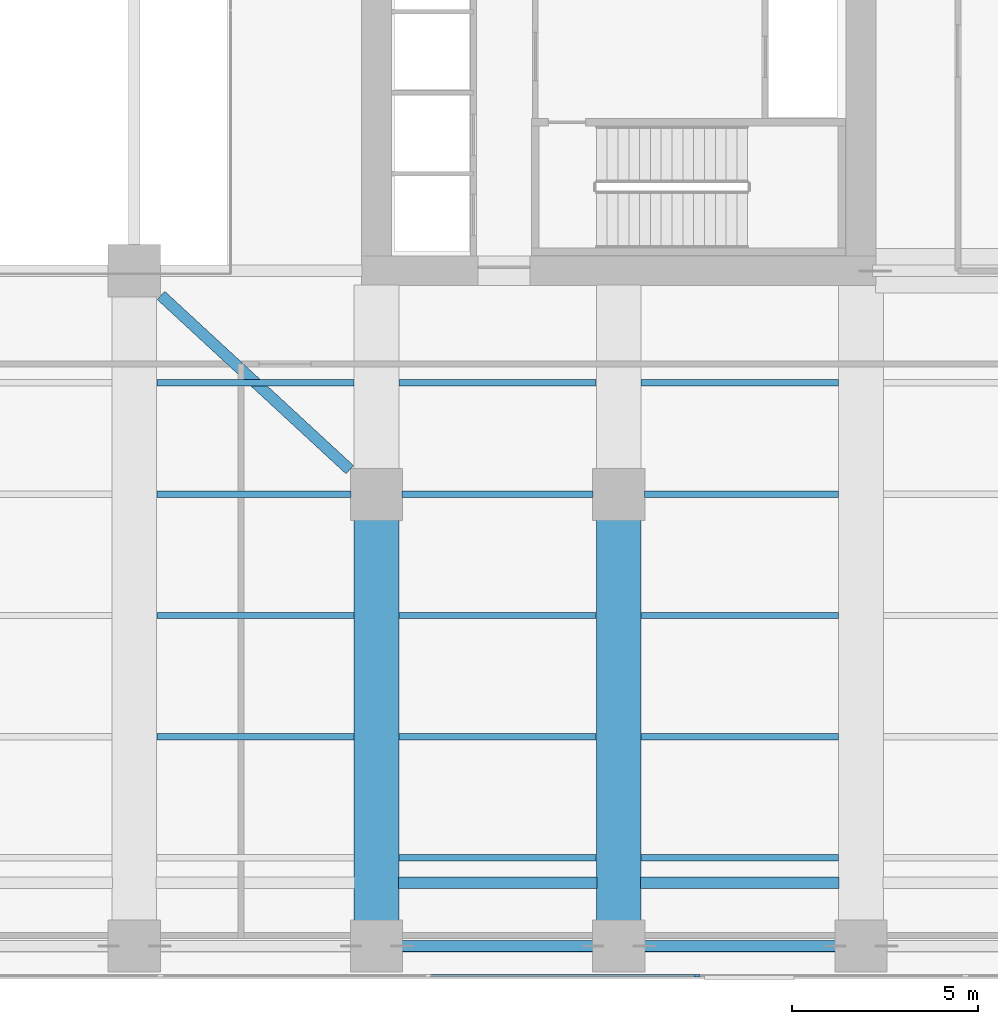
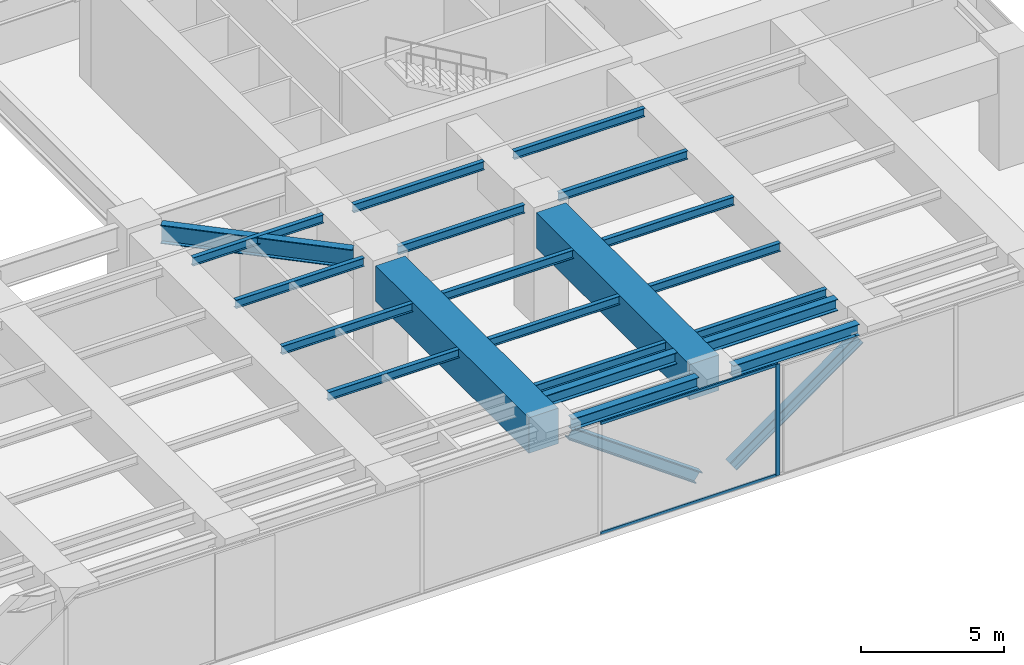
# One storey, part 6 of 31: 21 beams, 5 members, 1 element without a shape of its own.
"""IFC4 building model written with IfcOpenShell, lengths in metres."""

from ifc_helpers import new_model, si_unit, direction, frame, origin, origin_2d, place, context, subcontext, project, spatial, rectangle, i_section, extrude, material, layer, layer_set, material_profile, profile_set, type_object, element, aggregate, save


model = new_model("IFC4")

# Units and contexts
model_context = context("Model", 3, precision=1e-05, world=origin(), true_north=direction((0.0, 1.0)))
body_context = subcontext(model_context, "Body", "Model", "MODEL_VIEW")
ifc_project = project(units=[si_unit("LENGTHUNIT", "METRE"), si_unit("AREAUNIT", "SQUARE_METRE"), si_unit("VOLUMEUNIT", "CUBIC_METRE"), si_unit("PLANEANGLEUNIT", "RADIAN"), si_unit("MASSUNIT", "GRAM", prefix="KILO")], contexts=[model_context])

# Site, building, storey
site_placement = place(None, origin())
site = spatial("IfcSite", under=ifc_project, at=site_placement, CompositionType="ELEMENT")
building_placement = place(site_placement, origin())
building = spatial("IfcBuilding", under=site, at=building_placement, Name="Putna Gate Headquarters", CompositionType="ELEMENT")
storey_placement = place(building_placement, frame((0.0, 0.0, 81.0)))
storey = spatial("IfcBuildingStorey", under=building, at=storey_placement, Name="L19", CompositionType="ELEMENT", Elevation=81.0)

# Beams
ifc_material_1 = material(Name="Steel S355J2", Category="steel")
ifc_material_profile_1 = material_profile(ifc_material_1, i_section(OverallWidth=0.300048828125, OverallDepth=0.800048828125, WebThickness=0.017578125, FlangeThickness=0.032958984375, at=origin_2d()), Name="Steel S355J2")
ifc_profile_set_1 = profile_set([ifc_material_profile_1], Name="Steel S355J2")
beam_type_1 = type_object("IfcBeamType", Name="BM-GIRD-P-HEB800", PredefinedType="USERDEFINED", material=ifc_profile_set_1)
beam_1_placement = place(storey_placement, frame((51.281982421875, 13.662841796875, 4.364990234375), z_axis=(-0.734811593747, 0.678271274414, 0.0), x_axis=(-0.678271274414, -0.734811593747, 0.0)))
element("IfcBeam", 1, at=beam_1_placement, inside=storey, type_object=beam_type_1, Name="L19 Core Flank Collector Tie Girder SE", ObjectType="GIRDER", PredefinedType="USERDEFINED", context=body_context, shape_type="SweptSolid", body=[
    extrude(i_section(OverallWidth=0.300048828125, OverallDepth=0.800048828125, WebThickness=0.017578125, FlangeThickness=0.032958984375, at=origin_2d()), origin(), (0.0, 0.0, 1.0), 6.8916015625),
])
ifc_material_profile_2 = material_profile(ifc_material_1, i_section(OverallWidth=0.169921875, OverallDepth=0.360107421875, WebThickness=0.008056640625, FlangeThickness=0.0126953125, at=origin_2d()), Name="Steel S355J2")
ifc_profile_set_2 = profile_set([ifc_material_profile_2], Name="Steel S355J2")
beam_type_2 = type_object("IfcBeamType", Name="BM-SEC-Z2-IPE360", PredefinedType="BEAM", material=ifc_profile_set_2)
for number, where, z_axis, x_axis, name in (
    (2, (46.10400390625, 6.5, 4.5849609375), (1.0, 0.0, 0.0), (0.0, 1.0, 0.0), "L19 South Secondary Beam 7"),
    (3, (46.10400390625, 9.75, 4.5849609375), (1.0, 0.0, 0.0), (0.0, 1.0, 0.0), "L19 South Secondary Beam 7"),
):
    element("IfcBeam", number, at=place(storey_placement, frame(where, z_axis=z_axis, x_axis=x_axis)), inside=storey, type_object=beam_type_2, Name=name, PredefinedType="BEAM", context=body_context, shape_type="SweptSolid", body=[
        extrude(i_section(OverallWidth=0.169921875, OverallDepth=0.360107421875, WebThickness=0.008056640625, FlangeThickness=0.0126953125, at=origin_2d()), origin(), (0.0, 0.0, 1.0), 5.2919921875),
    ])
beam_2_placement = place(storey_placement, frame((46.10400390625, 13.0, 4.5849609375), z_axis=(1.0, 0.0, 0.0), x_axis=(0.0, 1.0, 0.0)))
element("IfcBeam", 4, at=beam_2_placement, inside=storey, type_object=beam_type_2, Name="L19 South Secondary Beam 7", PredefinedType="BEAM", context=body_context, shape_type="SweptSolid", body=[
    extrude(i_section(OverallWidth=0.169921875, OverallDepth=0.360107421875, WebThickness=0.008056640625, FlangeThickness=0.0126953125, at=origin_2d()), origin(), (0.0, 0.0, 1.0), 5.2080078125),
])
for number, where, z_axis, x_axis, name in (
    (5, (46.10400390625, 16.0, 4.5849609375), (1.0, 0.0, 0.0), (0.0, 1.0, 0.0), "L19 South Secondary Beam 7"),
    (6, (52.60400390625, 3.25, 4.5849609375), (1.0, 0.0, 0.0), (0.0, 1.0, 0.0), "L19 South Secondary Beam 8"),
    (7, (52.60400390625, 6.5, 4.5849609375), (1.0, 0.0, 0.0), (0.0, 1.0, 0.0), "L19 South Secondary Beam 8"),
    (8, (52.60400390625, 9.75, 4.5849609375), (1.0, 0.0, 0.0), (0.0, 1.0, 0.0), "L19 South Secondary Beam 8"),
):
    element("IfcBeam", number, at=place(storey_placement, frame(where, z_axis=z_axis, x_axis=x_axis)), inside=storey, type_object=beam_type_2, Name=name, PredefinedType="BEAM", context=body_context, shape_type="SweptSolid", body=[
        extrude(i_section(OverallWidth=0.169921875, OverallDepth=0.360107421875, WebThickness=0.008056640625, FlangeThickness=0.0126953125, at=origin_2d()), origin(), (0.0, 0.0, 1.0), 5.2919921875),
    ])
beam_3_placement = place(storey_placement, frame((52.68798828125, 13.0, 4.5849609375), z_axis=(1.0, 0.0, 0.0), x_axis=(0.0, 1.0, 0.0)))
element("IfcBeam", 9, at=beam_3_placement, inside=storey, type_object=beam_type_2, Name="L19 South Secondary Beam 8", PredefinedType="BEAM", context=body_context, shape_type="SweptSolid", body=[
    extrude(i_section(OverallWidth=0.169921875, OverallDepth=0.360107421875, WebThickness=0.008056640625, FlangeThickness=0.0126953125, at=origin_2d()), origin(), (0.0, 0.0, 1.0), 5.1240234375),
])
for number, where, z_axis, x_axis, name in (
    (10, (52.60400390625, 16.0, 4.5849609375), (1.0, 0.0, 0.0), (0.0, 1.0, 0.0), "L19 South Secondary Beam 8"),
    (11, (59.10400390625, 3.25, 4.5849609375), (1.0, 0.0, 0.0), (0.0, 1.0, 0.0), "L19 South Secondary Beam 9"),
    (12, (59.10400390625, 6.5, 4.5849609375), (1.0, 0.0, 0.0), (0.0, 1.0, 0.0), "L19 South Secondary Beam 9"),
    (13, (59.10400390625, 9.75, 4.5849609375), (1.0, 0.0, 0.0), (0.0, 1.0, 0.0), "L19 South Secondary Beam 9"),
):
    element("IfcBeam", number, at=place(storey_placement, frame(where, z_axis=z_axis, x_axis=x_axis)), inside=storey, type_object=beam_type_2, Name=name, PredefinedType="BEAM", context=body_context, shape_type="SweptSolid", body=[
        extrude(i_section(OverallWidth=0.169921875, OverallDepth=0.360107421875, WebThickness=0.008056640625, FlangeThickness=0.0126953125, at=origin_2d()), origin(), (0.0, 0.0, 1.0), 5.2919921875),
    ])
beam_4_placement = place(storey_placement, frame((59.18798828125, 13.0, 4.5849609375), z_axis=(1.0, 0.0, 0.0), x_axis=(0.0, 1.0, 0.0)))
element("IfcBeam", 14, at=beam_4_placement, inside=storey, type_object=beam_type_2, Name="L19 South Secondary Beam 9", PredefinedType="BEAM", context=body_context, shape_type="SweptSolid", body=[
    extrude(i_section(OverallWidth=0.169921875, OverallDepth=0.360107421875, WebThickness=0.008056640625, FlangeThickness=0.0126953125, at=origin_2d()), origin(), (0.0, 0.0, 1.0), 5.2080078125),
])
beam_5_placement = place(storey_placement, frame((59.10400390625, 16.0, 4.5849609375), z_axis=(1.0, 0.0, 0.0), x_axis=(0.0, 1.0, 0.0)))
element("IfcBeam", 15, at=beam_5_placement, inside=storey, type_object=beam_type_2, Name="L19 South Secondary Beam 9", PredefinedType="BEAM", context=body_context, shape_type="SweptSolid", body=[
    extrude(i_section(OverallWidth=0.169921875, OverallDepth=0.360107421875, WebThickness=0.008056640625, FlangeThickness=0.0126953125, at=origin_2d()), origin(), (0.0, 0.0, 1.0), 5.2919921875),
])
ifc_material_profile_3 = material_profile(ifc_material_1, i_section(OverallWidth=0.300048828125, OverallDepth=0.489990234375, WebThickness=0.011962890625, FlangeThickness=0.02294921875, at=origin_2d()), Name="Steel S355J2")
ifc_profile_set_3 = profile_set([ifc_material_profile_3], Name="Steel S355J2")
beam_type_3 = type_object("IfcBeamType", Name="BM-SPAN-Z2-HEA500", PredefinedType="SPANDREL", material=ifc_profile_set_3)
for number, where, z_axis, x_axis, name in (
    (16, (52.68798828125, 0.8798828125, 4.52001953125), (1.0, 0.0, 0.0), (0.0, 1.0, 0.0), "L19 S Perimeter Spandrel 8"),
    (17, (59.18798828125, 0.8798828125, 4.52001953125), (1.0, 0.0, 0.0), (0.0, 1.0, 0.0), "L19 S Perimeter Spandrel 9"),
):
    element("IfcBeam", number, at=place(storey_placement, frame(where, z_axis=z_axis, x_axis=x_axis)), inside=storey, type_object=beam_type_3, Name=name, PredefinedType="SPANDREL", context=body_context, shape_type="SweptSolid", body=[
        extrude(i_section(OverallWidth=0.300048828125, OverallDepth=0.489990234375, WebThickness=0.011962890625, FlangeThickness=0.02294921875, at=origin_2d()), origin(), (0.0, 0.0, 1.0), 5.1240234375),
    ])
for number, where, z_axis, x_axis, name in (
    (18, (52.5849609375, 2.580078125, 4.52001953125), (1.0, 0.0, 0.0), (0.0, 1.0, 0.0), "L19 Setback Edge Beam S8"),
    (19, (59.0849609375, 2.580078125, 4.52001953125), (1.0, 0.0, 0.0), (0.0, 1.0, 0.0), "L19 Setback Edge Beam S9"),
):
    element("IfcBeam", number, at=place(storey_placement, frame(where, z_axis=z_axis, x_axis=x_axis)), inside=storey, type_object=beam_type_3, Name=name, PredefinedType="SPANDREL", context=body_context, shape_type="SweptSolid", body=[
        extrude(i_section(OverallWidth=0.300048828125, OverallDepth=0.489990234375, WebThickness=0.011962890625, FlangeThickness=0.02294921875, at=origin_2d()), origin(), (0.0, 0.0, 1.0), 5.330078125),
    ])
ifc_material_2 = material(Name="Concrete C50/60", Category="concrete")
ifc_material_profile_4 = material_profile(ifc_material_2, rectangle(XDim=1.199951171875, YDim=1.52001953125, at=origin_2d()), Name="Concrete C50/60")
ifc_profile_set_4 = profile_set([ifc_material_profile_4], Name="Concrete C50/60")
beam_type_4 = type_object("IfcBeamType", Name="BM-TG-RC1520", PredefinedType="USERDEFINED", material=ifc_profile_set_4)
for number, where, z_axis, x_axis, name in (
    (20, (52.0, 1.568115234375, 4.0048828125), (0.0, 1.0, 0.0), (-1.0, 0.0, 0.0), "L19 South Primary Girder X52-1"),
    (21, (58.5, 1.568115234375, 4.0048828125), (0.0, 1.0, 0.0), (-1.0, 0.0, 0.0), "L19 South Primary Girder X58-1"),
):
    element("IfcBeam", number, at=place(storey_placement, frame(where, z_axis=z_axis, x_axis=x_axis)), inside=storey, type_object=beam_type_4, Name=name, ObjectType="GIRDER", PredefinedType="USERDEFINED", context=body_context, shape_type="SweptSolid", body=[
        extrude(rectangle(XDim=1.199951171875, YDim=1.52001953125, at=origin_2d()), origin(), (0.0, 0.0, 1.0), 10.743896484375),
    ])

# Members
ifc_material_3 = material(Name="Steel S460M", Category="steel")
ifc_material_profile_5 = material_profile(ifc_material_3, i_section(OverallWidth=0.306884765625, OverallDepth=0.47802734375, WebThickness=0.02099609375, FlangeThickness=0.0400390625, at=origin_2d()), Name="Steel S460M")
ifc_profile_set_5 = profile_set([ifc_material_profile_5], Name="Steel S460M")
member_type_1 = type_object("IfcMemberType", Name="MEM-BELT-DIAG-HEM450", PredefinedType="BRACE", material=ifc_profile_set_5)
for number, where, z_axis, x_axis, name in (
    (22, (52.68505859375, 0.8798828125, 4.114990234375), (0.813670670629, 0.0, -0.581326104487), (0.0, 1.0, 0.0), "L19 Belt Truss Diagonal S8"),
    (23, (59.18505859375, 0.8798828125, 0.449951171875), (0.813670670629, 0.0, 0.581326104487), (0.0, 1.0, 0.0), "L19 Belt Truss Diagonal S9"),
):
    element("IfcMember", number, at=place(storey_placement, frame(where, z_axis=z_axis, x_axis=x_axis)), inside=storey, type_object=member_type_1, Name=name, PredefinedType="BRACE", context=body_context, shape_type="SweptSolid", body=[
        extrude(i_section(OverallWidth=0.306884765625, OverallDepth=0.47802734375, WebThickness=0.02099609375, FlangeThickness=0.0400390625, at=origin_2d()), origin(), (0.0, 0.0, 1.0), 6.3046875),
    ])

# Curtain wall, members
ifc_material_4 = material(Name="Anodised bronze aluminium curtain wall", Category="aluminium")
ifc_layer = layer(ifc_material_4, 0.159912109375)
ifc_layer_set = layer_set([ifc_layer], Name="Anodised bronze aluminium curtain wall")
curtain_wall_type = type_object("IfcCurtainWallType", Name="CW-SYS-CRN", PredefinedType="USERDEFINED", material=ifc_layer_set)
curtain_wall_placement = place(storey_placement, origin())
curtain_wall = element("IfcCurtainWall", 24, at=curtain_wall_placement, inside=storey, type_object=curtain_wall_type, Name="L19 Acoustic Louvre South Enclosure", ObjectType="STICK CURTAIN WALL", PredefinedType="USERDEFINED")
ifc_material_5 = material(Name="Anodised bronze aluminium EN AW-6060", Category="aluminium")
ifc_material_profile_6 = material_profile(ifc_material_5, rectangle(XDim=0.06494140625, YDim=0.159912109375, at=origin_2d()), Name="Anodised bronze aluminium EN AW-6060")
ifc_profile_set_6 = profile_set([ifc_material_profile_6], Name="Anodised bronze aluminium EN AW-6060")
member_type_2 = type_object("IfcMemberType", Name="MULL-CWM-CR", PredefinedType="MULLION", material=ifc_profile_set_6)
member_1_placement = place(storey_placement, frame((60.60009765625, 0.080078125, 0.0), z_axis=(0.0, 0.0, 1.0), x_axis=(0.0, 1.0, 0.0)))
member_1 = element("IfcMember", 25, at=member_1_placement, type_object=member_type_2, Name="CWS-CR mullion 9", PredefinedType="MULLION", context=body_context, shape_type="SweptSolid", body=[
    extrude(rectangle(XDim=0.06494140625, YDim=0.159912109375, at=origin_2d()), origin(), (0.0, 0.0, 1.0), 4.764892578125),
])
ifc_material_profile_7 = material_profile(ifc_material_5, rectangle(XDim=0.06494140625, YDim=0.1201171875, at=origin_2d()), Name="Anodised bronze aluminium EN AW-6060")
ifc_profile_set_7 = profile_set([ifc_material_profile_7], Name="Anodised bronze aluminium EN AW-6060")
member_type_3 = type_object("IfcMemberType", Name="TRAN-CWT-CR", PredefinedType="USERDEFINED", material=ifc_profile_set_7)
member_2_placement = place(storey_placement, frame((53.4326171875, 0.080078125, 0.032470703125), z_axis=(1.0, 0.0, 0.0), x_axis=(0.0, 1.0, 0.0)))
member_2 = element("IfcMember", 26, at=member_2_placement, type_object=member_type_3, Name="CWS-CR transom 8.1", ObjectType="TRANSOM", PredefinedType="USERDEFINED", context=body_context, shape_type="SweptSolid", body=[
    extrude(rectangle(XDim=0.06494140625, YDim=0.1201171875, at=origin_2d()), origin(), (0.0, 0.0, 1.0), 7.134765625),
])
member_3_placement = place(storey_placement, frame((53.4326171875, 0.080078125, 4.732421875), z_axis=(1.0, 0.0, 0.0), x_axis=(0.0, 1.0, 0.0)))
member_3 = element("IfcMember", 27, at=member_3_placement, type_object=member_type_3, Name="CWS-CR transom 8.2", ObjectType="TRANSOM", PredefinedType="USERDEFINED", context=body_context, shape_type="SweptSolid", body=[
    extrude(rectangle(XDim=0.06494140625, YDim=0.1201171875, at=origin_2d()), origin(), (0.0, 0.0, 1.0), 7.134765625),
])
aggregate(curtain_wall, [member_1, member_2, member_3])

save(model, "model.ifc")
